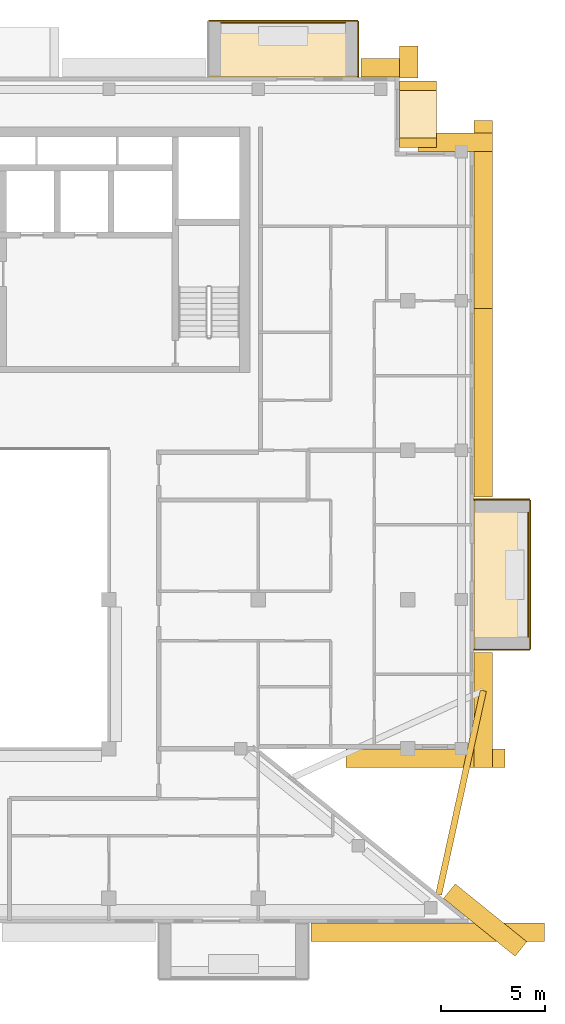
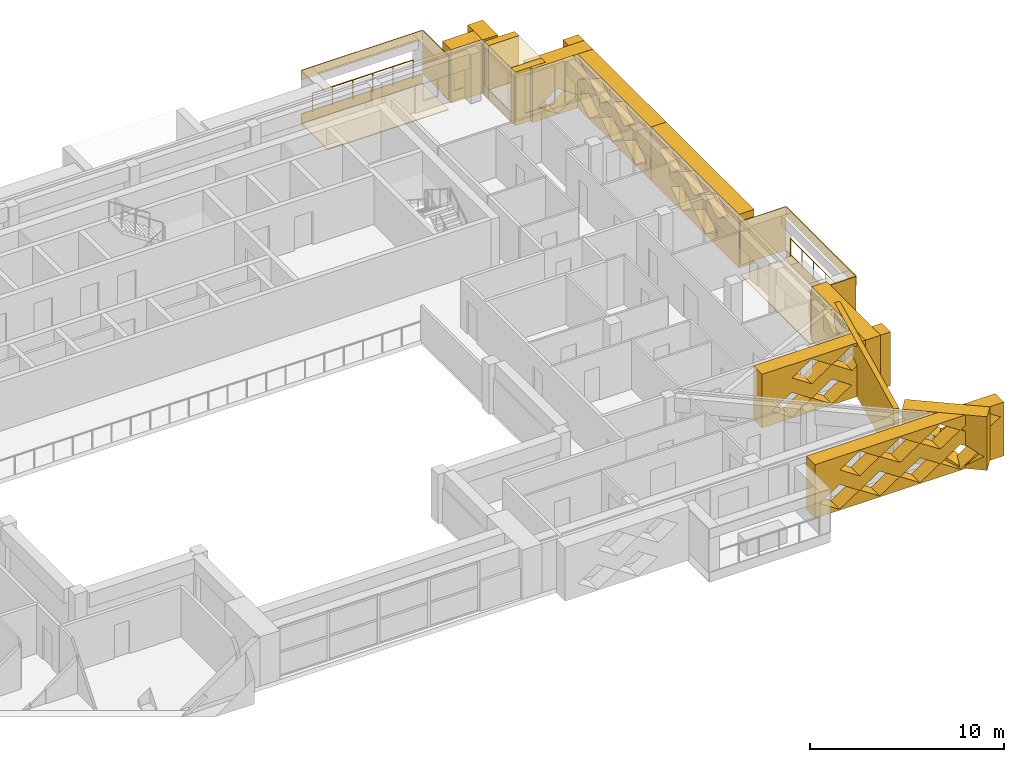
# One storey, part 19 of 19: 23 coverings, 2 railings.
"""IFC4 building model written with IfcOpenShell, lengths in metres."""

import ifcopenshell
import ifcopenshell.guid

model = None  # the IFC model being written
_history = None  # IfcOwnerHistory: only IFC2X3 demands one
_inside = {}  # id of a spatial element -> (the spatial element, [elements in it])
_under = {}  # id of a project, library or spatial element -> (it, [spatial elements below it])
_declared = {}  # id of a project -> (the project, [libraries it declares])
_typed = {}  # id of a type object -> (the type object, [elements of that type])
_made_of = {}  # id of a material, layer set ... -> (it, [elements and type objects made of it])


def new_model(schema):
    """Start an empty IFC model of exactly this schema.

    Asked for "IFC4X3", IfcOpenShell would pick the latest addendum, in which some entities
    have other attributes; the version numbers below select the first issue.
    IFC2X3 requires an IfcOwnerHistory on every rooted entity: one is made here for all.
    """
    global model, _history
    if schema == "IFC4X3":
        model = ifcopenshell.file(schema_version=(4, 3, 0, 0))
    else:
        model = ifcopenshell.file(schema=schema)
    _inside.clear()
    _under.clear()
    _declared.clear()
    _typed.clear()
    _made_of.clear()
    _history = None
    if model.schema == "IFC2X3":
        org = make("IfcOrganization", Name="unknown")
        user = make(
            "IfcPersonAndOrganization",
            ThePerson=make("IfcPerson", FamilyName="unknown"),
            TheOrganization=org,
        )
        app = make(
            "IfcApplication",
            ApplicationDeveloper=org,
            Version="unknown",
            ApplicationFullName="unknown",
            ApplicationIdentifier="unknown",
        )
        _history = make(
            "IfcOwnerHistory",
            OwningUser=user,
            OwningApplication=app,
            ChangeAction="ADDED",
            CreationDate=0,
        )
    return model


def make(cls, **values):
    """One entity of the class cls with the attributes given. An attribute that is None is left unset."""
    return model.create_entity(
        cls, **{name: value for name, value in values.items() if value is not None}
    )


def rooted(cls, **values):
    """An entity with a GlobalId (a new one), such as an element, a storey or a relation."""
    return make(cls, GlobalId=ifcopenshell.guid.new(), OwnerHistory=_history, **values)


def si_unit(unit_type, name, prefix=None):
    """IfcSIUnit, for example si_unit("LENGTHUNIT", "METRE", prefix="MILLI")."""
    return make("IfcSIUnit", UnitType=unit_type, Prefix=prefix, Name=name)


def assignment(units):
    """IfcUnitAssignment: the units of a project."""
    return None if units is None else make("IfcUnitAssignment", Units=units)


def point(xyz):
    """IfcCartesianPoint."""
    return None if xyz is None else make("IfcCartesianPoint", Coordinates=xyz)


def direction(xyz):
    """IfcDirection."""
    return None if xyz is None else make("IfcDirection", DirectionRatios=xyz)


def frame(location, z_axis=None, x_axis=None):
    """IfcAxis2Placement3D, a coordinate frame: its origin and axes. An axis left out is left unset."""
    return make(
        "IfcAxis2Placement3D",
        Location=point(location),
        Axis=direction(z_axis),
        RefDirection=direction(x_axis),
    )


def frame_2d(location, x_axis=None):
    """IfcAxis2Placement2D, a coordinate frame in the plane: its origin and x axis."""
    return make(
        "IfcAxis2Placement2D", Location=point(location), RefDirection=direction(x_axis)
    )


def origin():
    """The frame at (0, 0, 0) with its axes left unset."""
    return frame((0.0, 0.0, 0.0))


def origin_2d():
    """The frame at (0, 0) in the plane with its x axis left unset."""
    return frame_2d((0.0, 0.0))


def place(relative_to, where):
    """IfcLocalPlacement: puts the frame where relative to a parent placement (None: the world)."""
    return make(
        "IfcLocalPlacement", PlacementRelTo=relative_to, RelativePlacement=where
    )


def context(
    kind, dimensions, precision=None, world=None, true_north=None, identifier=None
):
    """IfcGeometricRepresentationContext, for example the 3D "Model" context."""
    return make(
        "IfcGeometricRepresentationContext",
        ContextIdentifier=identifier,
        ContextType=kind,
        CoordinateSpaceDimension=dimensions,
        Precision=precision,
        WorldCoordinateSystem=world,
        TrueNorth=true_north,
    )


def subcontext(parent, identifier, kind, view, scale=None):
    """IfcGeometricRepresentationSubContext, for example "Body" below "Model"."""
    return make(
        "IfcGeometricRepresentationSubContext",
        ContextIdentifier=identifier,
        ContextType=kind,
        ParentContext=parent,
        TargetScale=scale,
        TargetView=view,
    )


def project(units=None, contexts=None):
    """IfcProject with its units and contexts."""
    return rooted(
        "IfcProject",
        Name="project",
        RepresentationContexts=contexts,
        UnitsInContext=assignment(units),
    )


def spatial(cls, under=None, at=None, **own):
    """A site, building, storey or space (cls), placed at a placement, below another one or the project."""
    s = rooted(cls, ObjectPlacement=at, **own)
    if under is not None:
        _under.setdefault(under.id(), (under, []))[1].append(s)
    return s


def polyline(points):
    """IfcPolyline through the points."""
    return make("IfcPolyline", Points=[point(p) for p in points])


def profile(cls, at=None, kind="AREA", **sizes):
    """A parametric profile (cls). Its sizes go by their IFC names, for example OverallWidth=200.0."""
    return make(cls, ProfileType=kind, Position=at, **sizes)


def circle(**sizes):
    """IfcCircleProfileDef."""
    return profile("IfcCircleProfileDef", **sizes)


def outline(outer, holes=None, kind="AREA"):
    """IfcArbitraryClosedProfileDef: a profile drawn as a closed curve; with holes, ...WithVoids."""
    if holes is None:
        return make("IfcArbitraryClosedProfileDef", ProfileType=kind, OuterCurve=outer)
    return make(
        "IfcArbitraryProfileDefWithVoids",
        ProfileType=kind,
        OuterCurve=outer,
        InnerCurves=holes,
    )


def extrude(swept, where, along, depth):
    """IfcExtrudedAreaSolid: the profile swept, set in the frame where, extruded along a direction by depth."""
    return make(
        "IfcExtrudedAreaSolid",
        SweptArea=swept,
        Position=where,
        ExtrudedDirection=direction(along),
        Depth=depth,
    )


def shape(context_of_items, identifier, shape_type, items):
    """IfcShapeRepresentation: the items that make up one representation, for example the "Body"."""
    return make(
        "IfcShapeRepresentation",
        ContextOfItems=context_of_items,
        RepresentationIdentifier=identifier,
        RepresentationType=shape_type,
        Items=items,
    )


def material(Name=None, Category=None):
    """IfcMaterial."""
    return make("IfcMaterial", Name=Name, Category=Category)


def layer(
    of_material, thickness, ventilated=None, Name=None, Category=None, Priority=None
):
    """IfcMaterialLayer: one layer of a wall or slab, of a material (None: an air gap)."""
    return make(
        "IfcMaterialLayer",
        Material=of_material,
        LayerThickness=thickness,
        IsVentilated=ventilated,
        Name=Name,
        Category=Category,
        Priority=Priority,
    )


def layer_set(layers, Name=None):
    """IfcMaterialLayerSet."""
    return make("IfcMaterialLayerSet", MaterialLayers=layers, LayerSetName=Name)


def made_of(thing, what):
    """Note that an element or type object is made of a material, layer set ...; save() writes the relation."""
    if what is not None:
        _made_of.setdefault(what.id(), (what, []))[1].append(thing)
    return thing


def type_object(cls, material=None, **own):
    """A type object (cls), such as IfcWallType, which elements share."""
    return made_of(rooted(cls, **own), material)


def element(
    cls,
    number,
    at=None,
    inside=None,
    cuts=None,
    type_object=None,
    material=None,
    context=None,
    identifier="Body",
    shape_type=None,
    held_by="IfcProductDefinitionShape",
    body=None,
    shapes=None,
    **own,
):
    """One element of the class cls, such as IfcWall. Its Tag is "e" and its number.

    at: its placement. inside: the storey or other place that contains it. cuts: it is an
    opening in that element (IfcRelVoidsElement). A single representation is given by context,
    identifier, shape_type and body (its items); several are given by shapes. held_by: the class
    of the entity that holds the representations. save() writes the other relations.
    """
    e = rooted(cls, Tag="e%d" % number, ObjectPlacement=at, **own)
    if body is not None:
        shapes = [shape(context, identifier, shape_type, body)]
    if shapes is not None:
        e.Representation = make(held_by, Representations=shapes)
    if inside is not None:
        _inside.setdefault(inside.id(), (inside, []))[1].append(e)
    if cuts is not None:
        rooted(
            "IfcRelVoidsElement", RelatingBuildingElement=cuts, RelatedOpeningElement=e
        )
    if type_object is not None:
        _typed.setdefault(type_object.id(), (type_object, []))[1].append(e)
    return made_of(e, material)


def aggregate(whole, parts):
    """IfcRelAggregates: a whole, such as a stair, and the parts it consists of."""
    return rooted("IfcRelAggregates", RelatingObject=whole, RelatedObjects=parts)


def save(model, path):
    """Write the relations noted so far, then the file.

    IfcRelAggregates (storeys below a building ...), IfcRelContainedInSpatialStructure (elements
    in a storey), IfcRelDefinesByType, IfcRelAssociatesMaterial and IfcRelDeclares: one each for
    every whole, place, type object, material and project.
    """
    for whole, parts in _under.values():
        aggregate(whole, parts)
    for where, things in _inside.values():
        rooted(
            "IfcRelContainedInSpatialStructure",
            RelatedElements=things,
            RelatingStructure=where,
        )
    for kind, things in _typed.values():
        rooted("IfcRelDefinesByType", RelatedObjects=things, RelatingType=kind)
    for what, things in _made_of.values():
        rooted("IfcRelAssociatesMaterial", RelatedObjects=things, RelatingMaterial=what)
    for by, libraries in _declared.values():
        rooted("IfcRelDeclares", RelatingContext=by, RelatedDefinitions=libraries)
    model.write(path)


model = new_model("IFC4")

# Units and contexts
model_context = context("Model", 3, precision=1e-05, world=origin(), true_north=direction((0.0, 1.0)))
body_context = subcontext(model_context, "Body", "Model", "MODEL_VIEW")
ifc_project = project(units=[si_unit("LENGTHUNIT", "METRE"), si_unit("AREAUNIT", "SQUARE_METRE"), si_unit("VOLUMEUNIT", "CUBIC_METRE"), si_unit("PLANEANGLEUNIT", "RADIAN"), si_unit("MASSUNIT", "GRAM", prefix="KILO")], contexts=[model_context])

# Site, building, storey
site_placement = place(None, origin())
site = spatial("IfcSite", under=ifc_project, at=site_placement, CompositionType="ELEMENT")
building_placement = place(site_placement, origin())
building = spatial("IfcBuilding", under=site, at=building_placement, Name="Saffron Iwan Residences", CompositionType="ELEMENT")
storey_placement = place(building_placement, frame((0.0, 0.0, 267.5)))
storey = spatial("IfcBuildingStorey", under=building, at=storey_placement, Name="L72", CompositionType="ELEMENT", Elevation=267.5)

# Railings
ifc_material_1 = material(Name="Stainless steel 316", Category="steel")
railing_type = type_object("IfcRailingType", Name="BALCONY GUARD 1150", PredefinedType="GUARDRAIL", material=ifc_material_1)
railing_1_placement = place(storey_placement, frame((85.02490234375, 53.39990234375, 0.0)))
element("IfcRailing", 1, at=railing_1_placement, inside=storey, type_object=railing_type, Name="Balcony guard L72 F2-0", PredefinedType="GUARDRAIL", context=body_context, shape_type="SweptSolid", body=[
    extrude(circle(Radius=0.02392578125, at=origin_2d()), frame((0.0, 0.0, 1.1259765625), z_axis=(0.0, 1.0, 0.0), x_axis=(-1.0, 0.0, 0.0)), (0.0, 0.0, 1.0), 6.0),
    extrude(circle(Radius=0.02099609375, at=origin_2d()), origin(), (0.0, 0.0, 1.0), 1.101806640625),
    extrude(circle(Radius=0.02099609375, at=origin_2d()), frame((0.0, 1.199951171875, 0.0)), (0.0, 0.0, 1.0), 1.101806640625),
    extrude(circle(Radius=0.02099609375, at=origin_2d()), frame((0.0, 2.39990234375, 0.0)), (0.0, 0.0, 1.0), 1.101806640625),
    extrude(circle(Radius=0.02099609375, at=origin_2d()), frame((0.0, 3.60009765625, 0.0)), (0.0, 0.0, 1.0), 1.101806640625),
    extrude(circle(Radius=0.02099609375, at=origin_2d()), frame((0.0, 4.800048828125, 0.0)), (0.0, 0.0, 1.0), 1.101806640625),
    extrude(circle(Radius=0.02099609375, at=origin_2d()), frame((0.0, 6.0, 0.0)), (0.0, 0.0, 1.0), 1.101806640625),
])
railing_2_placement = place(storey_placement, frame((76.199951171875, 83.02490234375, 0.0)))
element("IfcRailing", 2, at=railing_2_placement, inside=storey, type_object=railing_type, Name="Balcony guard L72 F5-0", PredefinedType="GUARDRAIL", context=body_context, shape_type="SweptSolid", body=[
    extrude(circle(Radius=0.02392578125, at=origin_2d()), frame((0.0, 0.0, 1.1259765625), z_axis=(-1.0, 0.0, 0.0), x_axis=(0.0, -1.0, 0.0)), (0.0, 0.0, 1.0), 6.0),
    extrude(circle(Radius=0.02099609375, at=origin_2d()), origin(), (0.0, 0.0, 1.0), 1.101806640625),
    extrude(circle(Radius=0.02099609375, at=origin_2d()), frame((-1.199951171875, 0.0, 0.0)), (0.0, 0.0, 1.0), 1.101806640625),
    extrude(circle(Radius=0.02099609375, at=origin_2d()), frame((-2.39990234375, 0.0, 0.0)), (0.0, 0.0, 1.0), 1.101806640625),
    extrude(circle(Radius=0.02099609375, at=origin_2d()), frame((-3.60009765625, 0.0, 0.0)), (0.0, 0.0, 1.0), 1.101806640625),
    extrude(circle(Radius=0.02099609375, at=origin_2d()), frame((-4.800048828125, 0.0, 0.0)), (0.0, 0.0, 1.0), 1.101806640625),
    extrude(circle(Radius=0.02099609375, at=origin_2d()), frame((-6.0, 0.0, 0.0)), (0.0, 0.0, 1.0), 1.101806640625),
])

# Coverings
ifc_material_2 = material(Name="Precast concrete C40/50 white painted", Category="concrete")
ifc_layer_1 = layer(ifc_material_2, 0.050048828125)
ifc_layer_set_1 = layer_set([ifc_layer_1], Name="Precast concrete C40/50 white painted")
covering_type_1 = type_object("IfcCoveringType", Name="FRAME SKIN PRECAST WHITE 50", PredefinedType="CLADDING", material=ifc_layer_set_1)
for number, where, name in (
    (3, (0.0, 0.0, -0.60009765625), "Frame skin slab edge L72 F2-0"),
    (4, (0.0, 0.0, 2.12890625), "Frame skin fascia L72 F2-0"),
):
    element("IfcCovering", number, at=place(storey_placement, frame(where)), inside=storey, type_object=covering_type_1, Name=name, PredefinedType="CLADDING", context=body_context, shape_type="SweptSolid", body=[
        extrude(outline(polyline([(85.14990234375, 52.800048828125), (85.14990234375, 60.0), (85.10009765625, 60.0), (85.10009765625, 52.800048828125), (85.14990234375, 52.800048828125)])), origin(), (0.0, 0.0, 1.0), 0.60009765625),
    ])
covering_1_placement = place(storey_placement, frame((0.0, 0.0, -0.64990234375)))
element("IfcCovering", 5, at=covering_1_placement, inside=storey, type_object=covering_type_1, Name="Frame skin soffit L72 F2-0", PredefinedType="CLADDING", context=body_context, shape_type="SweptSolid", body=[
    extrude(outline(polyline([(85.10009765625, 52.800048828125), (85.10009765625, 60.0), (82.39990234375, 60.0), (82.39990234375, 52.800048828125), (85.10009765625, 52.800048828125)])), origin(), (0.0, 0.0, 1.0), 0.0498046875),
])
covering_2_placement = place(storey_placement, origin())
element("IfcCovering", 6, at=covering_2_placement, inside=storey, type_object=covering_type_1, Name="Frame skin fin L72 F2-0a", PredefinedType="CLADDING", context=body_context, shape_type="SweptSolid", body=[
    extrude(outline(polyline([(85.10009765625, 52.75), (85.10009765625, 52.800048828125), (82.39990234375, 52.800048828125), (82.39990234375, 52.75), (85.10009765625, 52.75)])), origin(), (0.0, 0.0, 1.0), 2.72900390625),
])
covering_3_placement = place(storey_placement, origin())
element("IfcCovering", 7, at=covering_3_placement, inside=storey, type_object=covering_type_1, Name="Frame skin fin L72 F2-0b", PredefinedType="CLADDING", context=body_context, shape_type="SweptSolid", body=[
    extrude(outline(polyline([(85.10009765625, 60.0), (85.10009765625, 60.050048828125), (82.39990234375, 60.050048828125), (82.39990234375, 60.0), (85.10009765625, 60.0)])), origin(), (0.0, 0.0, 1.0), 2.72900390625),
])
for number, where, name in (
    (8, (0.0, 0.0, -0.60009765625), "Frame skin slab edge L72 F5-0"),
    (9, (0.0, 0.0, 2.12890625), "Frame skin fascia L72 F5-0"),
):
    element("IfcCovering", number, at=place(storey_placement, frame(where)), inside=storey, type_object=covering_type_1, Name=name, PredefinedType="CLADDING", context=body_context, shape_type="SweptSolid", body=[
        extrude(outline(polyline([(76.800048828125, 83.14990234375), (69.60009765625, 83.14990234375), (69.60009765625, 83.10009765625), (76.800048828125, 83.10009765625), (76.800048828125, 83.14990234375)])), origin(), (0.0, 0.0, 1.0), 0.60009765625),
    ])
covering_4_placement = place(storey_placement, frame((0.0, 0.0, -0.64990234375)))
element("IfcCovering", 10, at=covering_4_placement, inside=storey, type_object=covering_type_1, Name="Frame skin soffit L72 F5-0", PredefinedType="CLADDING", context=body_context, shape_type="SweptSolid", body=[
    extrude(outline(polyline([(76.800048828125, 83.10009765625), (69.60009765625, 83.10009765625), (69.60009765625, 80.39990234375), (76.800048828125, 80.39990234375), (76.800048828125, 83.10009765625)])), origin(), (0.0, 0.0, 1.0), 0.0498046875),
])
covering_5_placement = place(storey_placement, origin())
element("IfcCovering", 11, at=covering_5_placement, inside=storey, type_object=covering_type_1, Name="Frame skin fin L72 F5-0a", PredefinedType="CLADDING", context=body_context, shape_type="SweptSolid", body=[
    extrude(outline(polyline([(76.85009765625, 83.10009765625), (76.800048828125, 83.10009765625), (76.800048828125, 80.39990234375), (76.85009765625, 80.39990234375), (76.85009765625, 83.10009765625)])), origin(), (0.0, 0.0, 1.0), 2.72900390625),
])
ifc_material_3 = material(Name="Precast concrete C40/50", Category="concrete")
covering_type_2 = type_object("IfcCoveringType", Name="OUTER SKIN LATTICE SCREEN", PredefinedType="CLADDING", material=ifc_material_3)
covering_6_placement = place(storey_placement, frame((84.387939453125, 37.994384765625, -0.280029296875), z_axis=(0.628558089533, 0.777762642509, 0.0), x_axis=(-0.777762642509, 0.628558089533, 0.0)))
element("IfcCovering", 12, at=covering_6_placement, inside=storey, type_object=covering_type_2, Name="OUTER SKIN lattice screen L72 F0.0", PredefinedType="CLADDING", context=body_context, shape_type="SweptSolid", body=[
    extrude(outline(polyline([(0.0, 0.0), (4.439697265625, 0.0), (4.439697265625, 3.37890625), (0.0, 3.37890625), (0.0, 0.0)]), holes=[polyline([(0.175537109375, 0.8447265625), (1.35546875, 0.06005859375), (2.535400390625, 0.8447265625), (1.35546875, 1.62939453125), (0.175537109375, 0.8447265625)]), polyline([(1.37548828125, 2.5341796875), (2.555419921875, 1.74951171875), (3.735595703125, 2.5341796875), (2.555419921875, 3.319091796875), (1.37548828125, 2.5341796875)])]), origin(), (0.0, 0.0, 1.0), 0.89990234375),
])
covering_7_placement = place(storey_placement, frame((76.235595703125, 48.0, -0.280029296875), z_axis=(0.0, -1.0, 0.0), x_axis=(1.0, 0.0, 0.0)))
element("IfcCovering", 13, at=covering_7_placement, inside=storey, type_object=covering_type_2, Name="OUTER SKIN lattice screen L72 F1.0", PredefinedType="CLADDING", context=body_context, shape_type="SweptSolid", body=[
    extrude(outline(polyline([(0.0, 0.0), (7.66455078125, 0.0), (7.66455078125, 3.37890625), (0.0, 3.37890625), (0.0, 0.0)]), holes=[polyline([(0.58447265625, 0.8447265625), (1.764404296875, 0.06005859375), (2.944580078125, 0.8447265625), (1.764404296875, 1.62939453125), (0.58447265625, 0.8447265625)]), polyline([(2.984619140625, 0.8447265625), (4.16455078125, 0.06005859375), (5.344482421875, 0.8447265625), (4.16455078125, 1.62939453125), (2.984619140625, 0.8447265625)]), polyline([(1.784423828125, 2.5341796875), (2.964599609375, 1.74951171875), (4.14453125, 2.5341796875), (2.964599609375, 3.319091796875), (1.784423828125, 2.5341796875)]), polyline([(4.1845703125, 2.5341796875), (5.364501953125, 1.74951171875), (6.54443359375, 2.5341796875), (5.364501953125, 3.319091796875), (4.1845703125, 2.5341796875)])]), origin(), (0.0, 0.0, 1.0), 0.89990234375),
])
covering_8_placement = place(storey_placement, frame((82.39990234375, 47.10009765625, -0.280029296875), z_axis=(1.0, 0.0, 0.0), x_axis=(0.0, 1.0, 0.0)))
element("IfcCovering", 14, at=covering_8_placement, inside=storey, type_object=covering_type_2, Name="OUTER SKIN lattice screen L72 F2.0", PredefinedType="CLADDING", context=body_context, shape_type="SweptSolid", body=[
    extrude(outline(polyline([(0.0, 0.0), (5.550048828125, 0.0), (5.550048828125, 3.37890625), (0.0, 3.37890625), (0.0, 0.0)]), holes=[polyline([(0.919921875, 0.8447265625), (2.10009765625, 0.06005859375), (3.280029296875, 0.8447265625), (2.10009765625, 1.62939453125), (0.919921875, 0.8447265625)]), polyline([(2.1201171875, 2.5341796875), (3.300048828125, 1.74951171875), (4.47998046875, 2.5341796875), (3.300048828125, 3.319091796875), (2.1201171875, 2.5341796875)])]), origin(), (0.0, 0.0, 1.0), 0.900146484375),
])
covering_9_placement = place(storey_placement, frame((82.39990234375, 60.14990234375, -0.280029296875), z_axis=(1.0, 0.0, 0.0), x_axis=(0.0, 1.0, 0.0)))
element("IfcCovering", 15, at=covering_9_placement, inside=storey, type_object=covering_type_2, Name="OUTER SKIN lattice screen L72 F2.1", PredefinedType="CLADDING", context=body_context, shape_type="SweptSolid", body=[
    extrude(outline(polyline([(0.0, 0.0), (9.074951171875, 0.0), (9.074951171875, 3.37890625), (0.0, 3.37890625), (0.0, 0.0)]), holes=[polyline([(2.27001953125, 0.8447265625), (3.449951171875, 0.06005859375), (4.6298828125, 0.8447265625), (3.449951171875, 1.62939453125), (2.27001953125, 0.8447265625)]), polyline([(4.669921875, 0.8447265625), (5.85009765625, 0.06005859375), (7.030029296875, 0.8447265625), (5.85009765625, 1.62939453125), (4.669921875, 0.8447265625)]), polyline([(1.070068359375, 2.5341796875), (2.25, 1.74951171875), (3.429931640625, 2.5341796875), (2.25, 3.319091796875), (1.070068359375, 2.5341796875)]), polyline([(3.469970703125, 2.5341796875), (4.64990234375, 1.74951171875), (5.830078125, 2.5341796875), (4.64990234375, 3.319091796875), (3.469970703125, 2.5341796875)]), polyline([(5.8701171875, 2.5341796875), (7.050048828125, 1.74951171875), (8.22998046875, 2.5341796875), (7.050048828125, 3.319091796875), (5.8701171875, 2.5341796875)])]), origin(), (0.0, 0.0, 1.0), 0.900146484375),
])
covering_10_placement = place(storey_placement, frame((82.39990234375, 69.22509765625, -0.280029296875), z_axis=(1.0, 0.0, 0.0), x_axis=(0.0, 1.0, 0.0)))
element("IfcCovering", 16, at=covering_10_placement, inside=storey, type_object=covering_type_2, Name="OUTER SKIN lattice screen L72 F2.2", PredefinedType="CLADDING", context=body_context, shape_type="SweptSolid", body=[
    extrude(outline(polyline([(0.0, 0.0), (9.074951171875, 0.0), (9.074951171875, 3.37890625), (0.0, 3.37890625), (0.0, 0.0)]), holes=[polyline([(0.39501953125, 0.8447265625), (1.574951171875, 0.06005859375), (2.7548828125, 0.8447265625), (1.574951171875, 1.62939453125), (0.39501953125, 0.8447265625)]), polyline([(2.794921875, 0.8447265625), (3.97509765625, 0.06005859375), (5.155029296875, 0.8447265625), (3.97509765625, 1.62939453125), (2.794921875, 0.8447265625)]), polyline([(5.195068359375, 0.8447265625), (6.375, 0.06005859375), (7.554931640625, 0.8447265625), (6.375, 1.62939453125), (5.195068359375, 0.8447265625)]), polyline([(1.594970703125, 2.5341796875), (2.77490234375, 1.74951171875), (3.955078125, 2.5341796875), (2.77490234375, 3.319091796875), (1.594970703125, 2.5341796875)]), polyline([(3.9951171875, 2.5341796875), (5.175048828125, 1.74951171875), (6.35498046875, 2.5341796875), (5.175048828125, 3.319091796875), (3.9951171875, 2.5341796875)]), polyline([(6.39501953125, 2.5341796875), (7.574951171875, 1.74951171875), (8.7548828125, 2.5341796875), (7.574951171875, 3.319091796875), (6.39501953125, 2.5341796875)])]), origin(), (0.0, 0.0, 1.0), 0.900146484375),
])
covering_11_placement = place(storey_placement, frame((83.300048828125, 76.800048828125, -0.280029296875), z_axis=(0.0, 1.0, 0.0), x_axis=(-1.0, 0.0, 0.0)))
element("IfcCovering", 17, at=covering_11_placement, inside=storey, type_object=covering_type_2, Name="OUTER SKIN lattice screen L72 F3.0", PredefinedType="CLADDING", context=body_context, shape_type="SweptSolid", body=[
    extrude(outline(polyline([(0.0, 0.0), (3.60009765625, 0.0), (3.60009765625, 3.37890625), (0.0, 3.37890625), (0.0, 0.0)]), holes=[polyline([(0.919921875, 0.8447265625), (2.10009765625, 0.06005859375), (3.280029296875, 0.8447265625), (2.10009765625, 1.62939453125), (0.919921875, 0.8447265625)])]), origin(), (0.0, 0.0, 1.0), 0.89990234375),
])
covering_12_placement = place(storey_placement, frame((78.800048828125, 80.35009765625, -0.280029296875), z_axis=(1.0, 0.0, 0.0), x_axis=(0.0, 1.0, 0.0)))
element("IfcCovering", 18, at=covering_12_placement, inside=storey, type_object=covering_type_2, Name="OUTER SKIN lattice screen L72 F4.0", PredefinedType="CLADDING", context=body_context, shape_type="SweptSolid", body=[
    extrude(outline(polyline([(0.0, 0.0), (1.550048828125, 0.0), (1.550048828125, 3.37890625), (0.0, 3.37890625), (0.0, 0.0)])), origin(), (0.0, 0.0, 1.0), 0.89990234375),
])
covering_13_placement = place(storey_placement, frame((79.699951171875, 80.39990234375, -0.280029296875), z_axis=(0.0, 1.0, 0.0), x_axis=(-1.0, 0.0, 0.0)))
element("IfcCovering", 19, at=covering_13_placement, inside=storey, type_object=covering_type_2, Name="OUTER SKIN lattice screen L72 F5.0", PredefinedType="CLADDING", context=body_context, shape_type="SweptSolid", body=[
    extrude(outline(polyline([(0.0, 0.0), (2.75, 0.0), (2.75, 3.37890625), (0.0, 3.37890625), (0.0, 0.0)])), origin(), (0.0, 0.0, 1.0), 0.900146484375),
])
covering_14_placement = place(storey_placement, frame((74.550048828125, 39.60009765625, -0.280029296875), z_axis=(0.0, -1.0, 0.0), x_axis=(1.0, 0.0, 0.0)))
element("IfcCovering", 20, at=covering_14_placement, inside=storey, type_object=covering_type_2, Name="OUTER SKIN lattice screen L72 F11.3", PredefinedType="CLADDING", context=body_context, shape_type="SweptSolid", body=[
    extrude(outline(polyline([(0.0, 0.0), (11.24560546875, 0.0), (11.24560546875, 3.37890625), (0.0, 3.37890625), (0.0, 0.0)]), holes=[polyline([(0.27001953125, 0.8447265625), (1.449951171875, 0.06005859375), (2.6298828125, 0.8447265625), (1.449951171875, 1.62939453125), (0.27001953125, 0.8447265625)]), polyline([(2.669921875, 0.8447265625), (3.85009765625, 0.06005859375), (5.030029296875, 0.8447265625), (3.85009765625, 1.62939453125), (2.669921875, 0.8447265625)]), polyline([(5.070068359375, 0.8447265625), (6.25, 0.06005859375), (7.429931640625, 0.8447265625), (6.25, 1.62939453125), (5.070068359375, 0.8447265625)]), polyline([(7.469970703125, 0.8447265625), (8.64990234375, 0.06005859375), (9.830078125, 0.8447265625), (8.64990234375, 1.62939453125), (7.469970703125, 0.8447265625)]), polyline([(1.469970703125, 2.5341796875), (2.64990234375, 1.74951171875), (3.830078125, 2.5341796875), (2.64990234375, 3.319091796875), (1.469970703125, 2.5341796875)]), polyline([(3.8701171875, 2.5341796875), (5.050048828125, 1.74951171875), (6.22998046875, 2.5341796875), (5.050048828125, 3.319091796875), (3.8701171875, 2.5341796875)]), polyline([(6.27001953125, 2.5341796875), (7.449951171875, 1.74951171875), (8.6298828125, 2.5341796875), (7.449951171875, 3.319091796875), (6.27001953125, 2.5341796875)]), polyline([(8.669921875, 2.5341796875), (9.85009765625, 1.74951171875), (11.030029296875, 2.5341796875), (9.85009765625, 3.319091796875), (8.669921875, 2.5341796875)])]), origin(), (0.0, 0.0, 1.0), 0.900146484375),
])
ifc_layer_2 = layer(ifc_material_2, 0.300048828125)
ifc_layer_set_2 = layer_set([ifc_layer_2], Name="Precast concrete C40/50 white painted")
covering_type_3 = type_object("IfcCoveringType", Name="PROW NOSE BLADE PRECAST WHITE", PredefinedType="CLADDING", material=ifc_layer_set_2)
covering_15_placement = place(storey_placement, frame((0.0, 0.0, -0.280029296875)))
element("IfcCovering", 21, at=covering_15_placement, inside=storey, type_object=covering_type_3, Name="Prow nose blade L72 a", PredefinedType="CLADDING", context=body_context, shape_type="SweptSolid", body=[
    extrude(outline(polyline([(80.847412109375, 40.9404296875), (83.001708984375, 50.769287109375), (82.70849609375, 50.83349609375), (80.55419921875, 41.004638671875), (80.847412109375, 40.9404296875)])), origin(), (0.0, 0.0, 1.0), 3.379150390625),
])
covering_type_4 = type_object("IfcCoveringType", Name="WHITE SUN FRAME PRECAST", PredefinedType="CLADDING", material=ifc_material_2)
for number, where, z_axis, x_axis, name in (
    (22, (78.800048828125, 77.0, -0.280029296875), (1.0, 0.0, 0.0), (0.0, 1.0, 0.0), "Sun frame L72 F4 0.2a"),
    (23, (78.800048828125, 79.75, -0.280029296875), (1.0, 0.0, 0.0), (0.0, 1.0, 0.0), "Sun frame L72 F4 0.2b"),
):
    element("IfcCovering", number, at=place(storey_placement, frame(where, z_axis=z_axis, x_axis=x_axis)), inside=storey, type_object=covering_type_4, Name=name, PredefinedType="CLADDING", context=body_context, shape_type="SweptSolid", body=[
        extrude(outline(polyline([(0.0, 0.0), (0.449951171875, 0.0), (0.449951171875, 3.37890625), (0.0, 3.37890625), (0.0, 0.0)])), origin(), (0.0, 0.0, 1.0), 1.800048828125),
    ])
for number, where, z_axis, x_axis, name in (
    (24, (78.800048828125, 77.449951171875, 2.4990234375), (1.0, 0.0, 0.0), (0.0, 1.0, 0.0), "Sun frame L72 F4 0.2h"),
    (25, (78.800048828125, 77.449951171875, -0.280029296875), (1.0, 0.0, 0.0), (0.0, 1.0, 0.0), "Sun frame L72 F4 0.2s"),
):
    element("IfcCovering", number, at=place(storey_placement, frame(where, z_axis=z_axis, x_axis=x_axis)), inside=storey, type_object=covering_type_4, Name=name, PredefinedType="CLADDING", context=body_context, shape_type="SweptSolid", body=[
        extrude(outline(polyline([(0.0, 0.0), (2.300048828125, 0.0), (2.300048828125, 0.60009765625), (0.0, 0.60009765625), (0.0, 0.0)])), origin(), (0.0, 0.0, 1.0), 1.800048828125),
    ])

save(model, "model.ifc")
